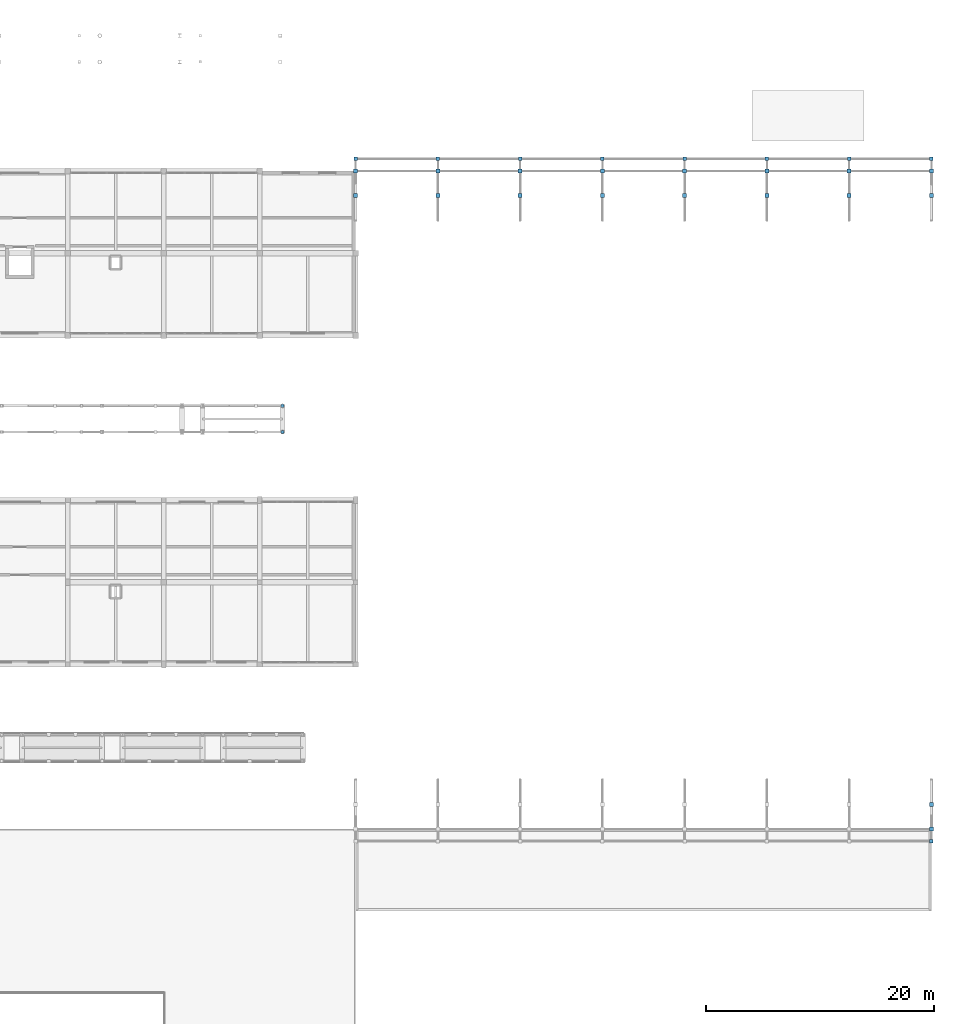
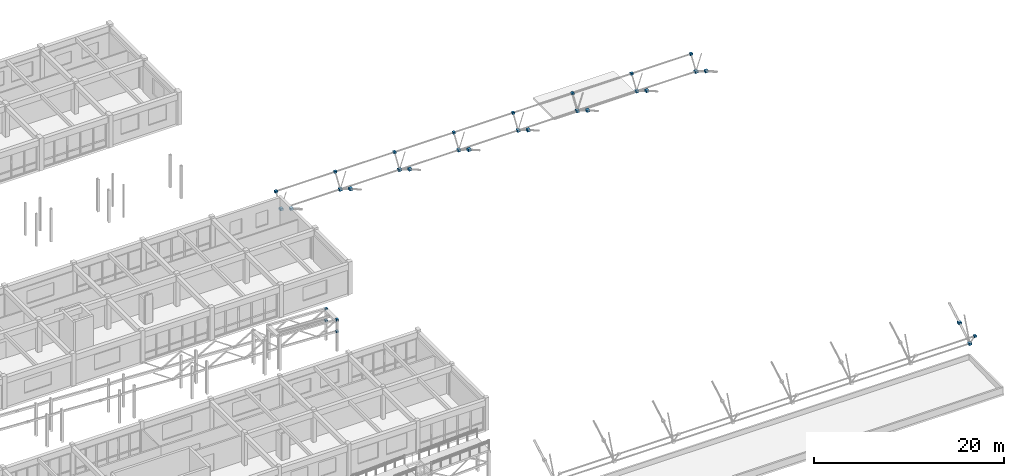
# One storey, part 66 of 90: 31 plates.
"""IFC4 building model written with IfcOpenShell, lengths in metres."""

from ifc_helpers import new_model, si_unit, direction, frame, origin, origin_2d, place, context, subcontext, project, spatial, rectangle, extrude, material, layer, layer_set, type_object, element, save


model = new_model("IFC4")

# Units and contexts
model_context = context("Model", 3, precision=1e-05, world=origin(), true_north=direction((0.0, 1.0)))
body_context = subcontext(model_context, "Body", "Model", "MODEL_VIEW")
ifc_project = project(units=[si_unit("LENGTHUNIT", "METRE"), si_unit("AREAUNIT", "SQUARE_METRE"), si_unit("VOLUMEUNIT", "CUBIC_METRE"), si_unit("PLANEANGLEUNIT", "RADIAN"), si_unit("MASSUNIT", "GRAM", prefix="KILO")], contexts=[model_context])

# Site, building, storey
site_placement = place(None, origin())
site = spatial("IfcSite", under=ifc_project, at=site_placement, CompositionType="ELEMENT")
building_placement = place(site_placement, origin())
building = spatial("IfcBuilding", under=site, at=building_placement, Name="Malvenik Polytechnic", CompositionType="ELEMENT")
storey_placement = place(building_placement, frame((0.0, 0.0, 9.300048828125)))
storey = spatial("IfcBuildingStorey", under=building, at=storey_placement, Name="L02", CompositionType="ELEMENT", Elevation=9.300048828125)

# Plates
ifc_material = material(Name="Steel S355J2H", Category="steel")
ifc_layer_1 = layer(ifc_material, 0.034912109375)
ifc_layer_set_1 = layer_set([ifc_layer_1], Name="Steel S355J2H")
plate_type_1 = type_object("IfcPlateType", Name="STR-PLT-NP-01", PredefinedType="USERDEFINED", material=ifc_layer_set_1)
for number, where, z_axis, x_axis, name in (
    (1, (134.39990234375, 91.448486328125, 3.31640625), (0.0, 0.0, 1.0), (1.0, 0.0, 0.0), "Space-Frame Bottom Node Plate #47"),
    (2, (134.39990234375, 93.60009765625, 1.9599609375), (0.0, 0.0, 1.0), (1.0, 0.0, 0.0), "Space-Frame Bottom Node Plate #49"),
    (3, (141.60009765625, 91.448486328125, 3.31640625), (0.0, 0.0, 1.0), (1.0, 0.0, 0.0), "Space-Frame Bottom Node Plate #97"),
    (4, (141.60009765625, 93.60009765625, 1.9599609375), (0.0, 0.0, 1.0), (1.0, 0.0, 0.0), "Space-Frame Bottom Node Plate #99"),
    (5, (148.800048828125, 91.448486328125, 3.31640625), (0.0, 0.0, 1.0), (1.0, 0.0, 0.0), "Space-Frame Bottom Node Plate #147"),
    (6, (148.800048828125, 93.60009765625, 1.9599609375), (0.0, 0.0, 1.0), (1.0, 0.0, 0.0), "Space-Frame Bottom Node Plate #149"),
    (7, (156.0, 91.448486328125, 3.31640625), (0.0, 0.0, 1.0), (1.0, 0.0, 0.0), "Space-Frame Bottom Node Plate #197"),
    (8, (156.0, 93.60009765625, 1.9599609375), (0.0, 0.0, 1.0), (1.0, 0.0, 0.0), "Space-Frame Bottom Node Plate #199"),
    (9, (163.199951171875, 91.448486328125, 3.31640625), (0.0, 0.0, 1.0), (1.0, 0.0, 0.0), "Space-Frame Bottom Node Plate #247"),
    (10, (163.199951171875, 93.60009765625, 1.9599609375), (0.0, 0.0, 1.0), (1.0, 0.0, 0.0), "Space-Frame Bottom Node Plate #249"),
    (11, (170.39990234375, 91.448486328125, 3.31640625), (0.0, 0.0, 1.0), (1.0, 0.0, 0.0), "Space-Frame Bottom Node Plate #297"),
    (12, (170.39990234375, 93.60009765625, 1.9599609375), (0.0, 0.0, 1.0), (1.0, 0.0, 0.0), "Space-Frame Bottom Node Plate #299"),
    (13, (177.60009765625, 91.448486328125, 3.31640625), (0.0, 0.0, 1.0), (1.0, 0.0, 0.0), "Space-Frame Bottom Node Plate #347"),
    (14, (177.60009765625, 93.60009765625, 1.9599609375), (0.0, 0.0, 1.0), (1.0, 0.0, 0.0), "Space-Frame Bottom Node Plate #349"),
    (15, (184.800048828125, 36.0, 1.9599609375), (0.0, 0.0, 1.0), (1.0, 0.0, 0.0), "Space-Frame Bottom Node Plate #351"),
    (16, (184.800048828125, 38.1513671875, 3.31640625), (0.0, 0.0, 1.0), (1.0, 0.0, 0.0), "Space-Frame Bottom Node Plate #353"),
    (17, (184.800048828125, 91.448486328125, 3.31640625), (0.0, 0.0, 1.0), (1.0, 0.0, 0.0), "Space-Frame Bottom Node Plate #397"),
    (18, (184.800048828125, 93.60009765625, 1.9599609375), (0.0, 0.0, 1.0), (1.0, 0.0, 0.0), "Space-Frame Bottom Node Plate #399"),
):
    element("IfcPlate", number, at=place(storey_placement, frame(where, z_axis=z_axis, x_axis=x_axis)), inside=storey, type_object=plate_type_1, Name=name, ObjectType="GUSSET PLATE", PredefinedType="USERDEFINED", context=body_context, shape_type="SweptSolid", body=[
        extrude(rectangle(XDim=0.360107421875, YDim=0.360107421875, at=origin_2d()), origin(), (0.0, 0.0, 1.0), 0.280029296875),
    ])
ifc_layer_2 = layer(ifc_material, 0.034912109375)
ifc_layer_set_2 = layer_set([ifc_layer_2], Name="Steel S355J2H")
plate_type_2 = type_object("IfcPlateType", Name="STR-PLT-NP-02", PredefinedType="USERDEFINED", material=ifc_layer_set_2)
for number, where, z_axis, x_axis, name in (
    (19, (134.39990234375, 94.666259765625, 3.58251953125), (0.0, 0.0, 1.0), (1.0, 0.0, 0.0), "Space-Frame Top Node Plate #50"),
    (20, (141.60009765625, 94.666259765625, 3.58251953125), (0.0, 0.0, 1.0), (1.0, 0.0, 0.0), "Space-Frame Top Node Plate #100"),
    (21, (148.800048828125, 94.666259765625, 3.58251953125), (0.0, 0.0, 1.0), (1.0, 0.0, 0.0), "Space-Frame Top Node Plate #150"),
    (22, (156.0, 94.666259765625, 3.58251953125), (0.0, 0.0, 1.0), (1.0, 0.0, 0.0), "Space-Frame Top Node Plate #200"),
    (23, (163.199951171875, 94.666259765625, 3.58251953125), (0.0, 0.0, 1.0), (1.0, 0.0, 0.0), "Space-Frame Top Node Plate #250"),
    (24, (170.39990234375, 94.666259765625, 3.58251953125), (0.0, 0.0, 1.0), (1.0, 0.0, 0.0), "Space-Frame Top Node Plate #300"),
    (25, (177.60009765625, 94.666259765625, 3.58251953125), (0.0, 0.0, 1.0), (1.0, 0.0, 0.0), "Space-Frame Top Node Plate #350"),
    (26, (184.800048828125, 34.933837890625, 3.58251953125), (0.0, 0.0, 1.0), (1.0, 0.0, 0.0), "Space-Frame Top Node Plate #352"),
    (27, (184.800048828125, 94.666259765625, 3.58251953125), (0.0, 0.0, 1.0), (1.0, 0.0, 0.0), "Space-Frame Top Node Plate #400"),
):
    element("IfcPlate", number, at=place(storey_placement, frame(where, z_axis=z_axis, x_axis=x_axis)), inside=storey, type_object=plate_type_2, Name=name, ObjectType="GUSSET PLATE", PredefinedType="USERDEFINED", context=body_context, shape_type="SweptSolid", body=[
        extrude(rectangle(XDim=0.300048828125, YDim=0.300048828125, at=origin_2d()), origin(), (0.0, 0.0, 1.0), 0.239990234375),
    ])
ifc_layer_3 = layer(ifc_material, 0.034912109375)
ifc_layer_set_3 = layer_set([ifc_layer_3], Name="Steel S355J2H")
plate_type_3 = type_object("IfcPlateType", Name="STR-PLT-NP-03", PredefinedType="USERDEFINED", material=ifc_layer_set_3)
for number, where, z_axis, x_axis, name in (
    (28, (128.0, 70.75, 3.8701171875), (0.0, 0.0, 1.0), (1.0, 0.0, 0.0), "Warren Joint Node Plate RB-02"),
    (29, (128.0, 70.75, 2.3701171875), (0.0, 0.0, 1.0), (1.0, 0.0, 0.0), "Warren Joint Node Plate RB-02"),
    (30, (128.0, 73.050048828125, 3.8701171875), (0.0, 0.0, 1.0), (1.0, 0.0, 0.0), "Warren Joint Node Plate RB-02"),
    (31, (128.0, 73.050048828125, 2.3701171875), (0.0, 0.0, 1.0), (1.0, 0.0, 0.0), "Warren Joint Node Plate RB-02"),
):
    element("IfcPlate", number, at=place(storey_placement, frame(where, z_axis=z_axis, x_axis=x_axis)), inside=storey, type_object=plate_type_3, Name=name, ObjectType="GUSSET PLATE", PredefinedType="USERDEFINED", context=body_context, shape_type="SweptSolid", body=[
        extrude(rectangle(XDim=0.280029296875, YDim=0.280029296875, at=origin_2d()), origin(), (0.0, 0.0, 1.0), 0.219970703125),
    ])

save(model, "model.ifc")
